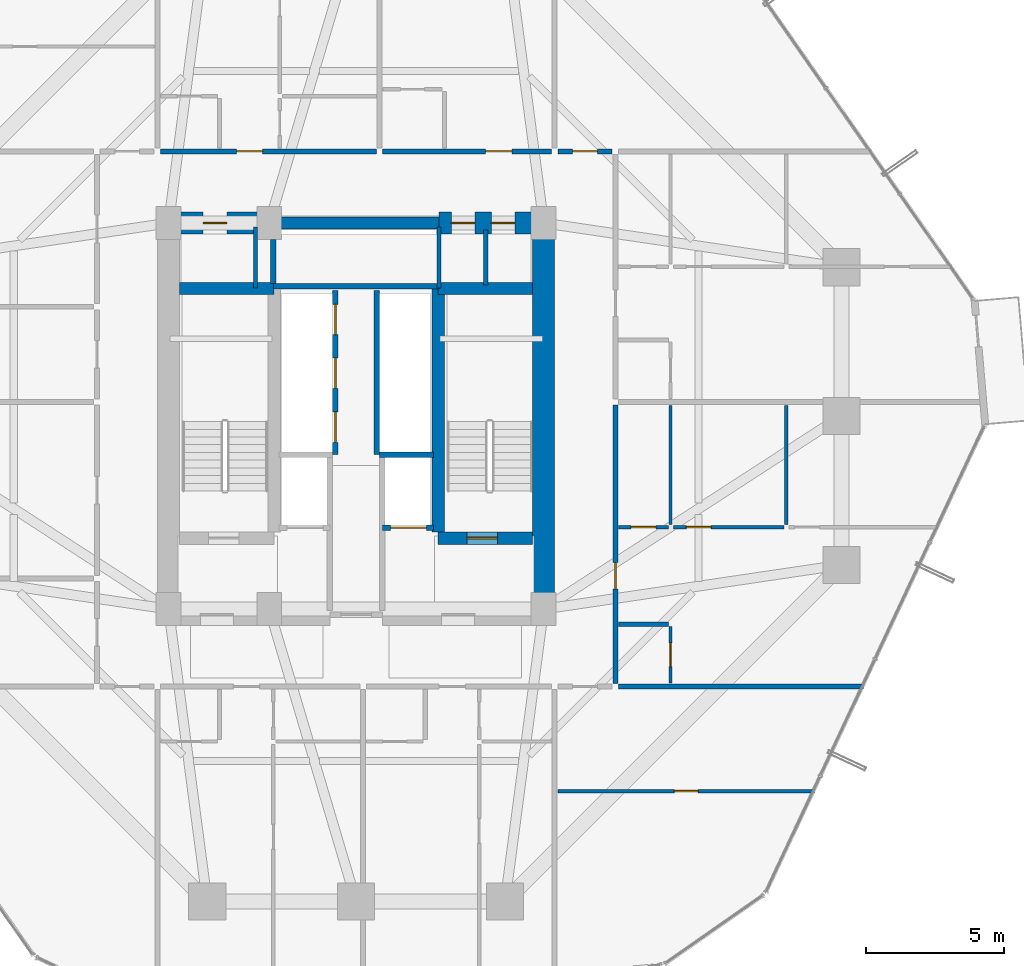
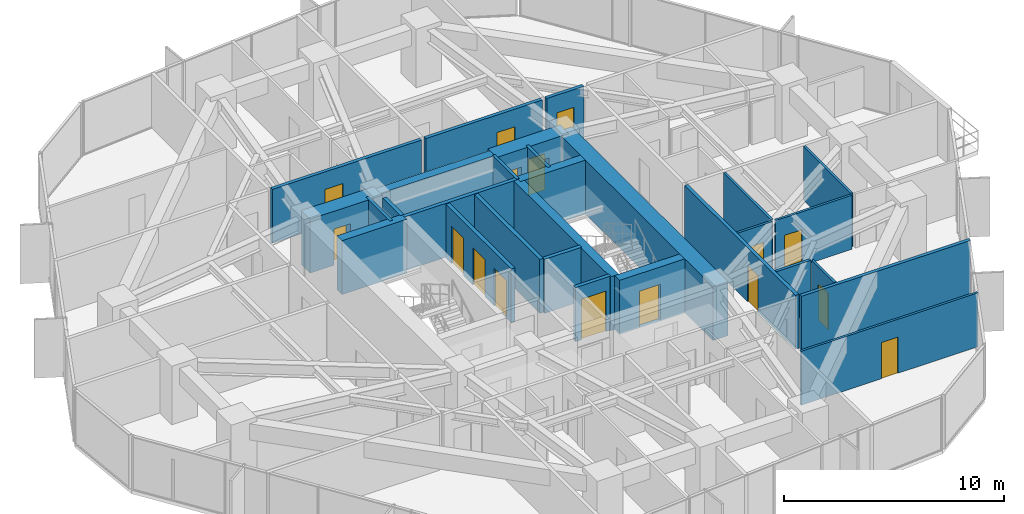
# One storey, part 34 of 37: 29 walls, 16 doors, 16 openings.
"""IFC4 building model written with IfcOpenShell, lengths in metres."""

import ifcopenshell
import ifcopenshell.guid

model = None  # the IFC model being written
_history = None  # IfcOwnerHistory: only IFC2X3 demands one
_inside = {}  # id of a spatial element -> (the spatial element, [elements in it])
_under = {}  # id of a project, library or spatial element -> (it, [spatial elements below it])
_declared = {}  # id of a project -> (the project, [libraries it declares])
_typed = {}  # id of a type object -> (the type object, [elements of that type])
_made_of = {}  # id of a material, layer set ... -> (it, [elements and type objects made of it])


def new_model(schema):
    """Start an empty IFC model of exactly this schema.

    Asked for "IFC4X3", IfcOpenShell would pick the latest addendum, in which some entities
    have other attributes; the version numbers below select the first issue.
    IFC2X3 requires an IfcOwnerHistory on every rooted entity: one is made here for all.
    """
    global model, _history
    if schema == "IFC4X3":
        model = ifcopenshell.file(schema_version=(4, 3, 0, 0))
    else:
        model = ifcopenshell.file(schema=schema)
    _inside.clear()
    _under.clear()
    _declared.clear()
    _typed.clear()
    _made_of.clear()
    _history = None
    if model.schema == "IFC2X3":
        org = make("IfcOrganization", Name="unknown")
        user = make(
            "IfcPersonAndOrganization",
            ThePerson=make("IfcPerson", FamilyName="unknown"),
            TheOrganization=org,
        )
        app = make(
            "IfcApplication",
            ApplicationDeveloper=org,
            Version="unknown",
            ApplicationFullName="unknown",
            ApplicationIdentifier="unknown",
        )
        _history = make(
            "IfcOwnerHistory",
            OwningUser=user,
            OwningApplication=app,
            ChangeAction="ADDED",
            CreationDate=0,
        )
    return model


def make(cls, **values):
    """One entity of the class cls with the attributes given. An attribute that is None is left unset."""
    return model.create_entity(
        cls, **{name: value for name, value in values.items() if value is not None}
    )


def rooted(cls, **values):
    """An entity with a GlobalId (a new one), such as an element, a storey or a relation."""
    return make(cls, GlobalId=ifcopenshell.guid.new(), OwnerHistory=_history, **values)


def si_unit(unit_type, name, prefix=None):
    """IfcSIUnit, for example si_unit("LENGTHUNIT", "METRE", prefix="MILLI")."""
    return make("IfcSIUnit", UnitType=unit_type, Prefix=prefix, Name=name)


def assignment(units):
    """IfcUnitAssignment: the units of a project."""
    return None if units is None else make("IfcUnitAssignment", Units=units)


def point(xyz):
    """IfcCartesianPoint."""
    return None if xyz is None else make("IfcCartesianPoint", Coordinates=xyz)


def direction(xyz):
    """IfcDirection."""
    return None if xyz is None else make("IfcDirection", DirectionRatios=xyz)


def frame(location, z_axis=None, x_axis=None):
    """IfcAxis2Placement3D, a coordinate frame: its origin and axes. An axis left out is left unset."""
    return make(
        "IfcAxis2Placement3D",
        Location=point(location),
        Axis=direction(z_axis),
        RefDirection=direction(x_axis),
    )


def frame_2d(location, x_axis=None):
    """IfcAxis2Placement2D, a coordinate frame in the plane: its origin and x axis."""
    return make(
        "IfcAxis2Placement2D", Location=point(location), RefDirection=direction(x_axis)
    )


def origin():
    """The frame at (0, 0, 0) with its axes left unset."""
    return frame((0.0, 0.0, 0.0))


def place(relative_to, where):
    """IfcLocalPlacement: puts the frame where relative to a parent placement (None: the world)."""
    return make(
        "IfcLocalPlacement", PlacementRelTo=relative_to, RelativePlacement=where
    )


def context(
    kind, dimensions, precision=None, world=None, true_north=None, identifier=None
):
    """IfcGeometricRepresentationContext, for example the 3D "Model" context."""
    return make(
        "IfcGeometricRepresentationContext",
        ContextIdentifier=identifier,
        ContextType=kind,
        CoordinateSpaceDimension=dimensions,
        Precision=precision,
        WorldCoordinateSystem=world,
        TrueNorth=true_north,
    )


def subcontext(parent, identifier, kind, view, scale=None):
    """IfcGeometricRepresentationSubContext, for example "Body" below "Model"."""
    return make(
        "IfcGeometricRepresentationSubContext",
        ContextIdentifier=identifier,
        ContextType=kind,
        ParentContext=parent,
        TargetScale=scale,
        TargetView=view,
    )


def project(units=None, contexts=None):
    """IfcProject with its units and contexts."""
    return rooted(
        "IfcProject",
        Name="project",
        RepresentationContexts=contexts,
        UnitsInContext=assignment(units),
    )


def spatial(cls, under=None, at=None, **own):
    """A site, building, storey or space (cls), placed at a placement, below another one or the project."""
    s = rooted(cls, ObjectPlacement=at, **own)
    if under is not None:
        _under.setdefault(under.id(), (under, []))[1].append(s)
    return s


def profile(cls, at=None, kind="AREA", **sizes):
    """A parametric profile (cls). Its sizes go by their IFC names, for example OverallWidth=200.0."""
    return make(cls, ProfileType=kind, Position=at, **sizes)


def rectangle(**sizes):
    """IfcRectangleProfileDef."""
    return profile("IfcRectangleProfileDef", **sizes)


def extrude(swept, where, along, depth):
    """IfcExtrudedAreaSolid: the profile swept, set in the frame where, extruded along a direction by depth."""
    return make(
        "IfcExtrudedAreaSolid",
        SweptArea=swept,
        Position=where,
        ExtrudedDirection=direction(along),
        Depth=depth,
    )


def shape(context_of_items, identifier, shape_type, items):
    """IfcShapeRepresentation: the items that make up one representation, for example the "Body"."""
    return make(
        "IfcShapeRepresentation",
        ContextOfItems=context_of_items,
        RepresentationIdentifier=identifier,
        RepresentationType=shape_type,
        Items=items,
    )


def source(mapping_origin, context_of_items, identifier, shape_type, items):
    """IfcRepresentationMap: a shape defined once, which mapped items show again and again."""
    return make(
        "IfcRepresentationMap",
        MappingOrigin=mapping_origin,
        MappedRepresentation=shape(context_of_items, identifier, shape_type, items),
    )


def transform(
    local_origin,
    x_axis=None,
    y_axis=None,
    z_axis=None,
    scale=None,
    scale2=None,
    scale3=None,
    uniform=True,
):
    """IfcCartesianTransformationOperator3D, or its non-uniform kind. x_axis, y_axis, z_axis: its Axis1, 2, 3."""
    if uniform:
        return make(
            "IfcCartesianTransformationOperator3D",
            Axis1=direction(x_axis),
            Axis2=direction(y_axis),
            LocalOrigin=point(local_origin),
            Scale=scale,
            Axis3=direction(z_axis),
        )
    return make(
        "IfcCartesianTransformationOperator3DnonUniform",
        Axis1=direction(x_axis),
        Axis2=direction(y_axis),
        LocalOrigin=point(local_origin),
        Scale=scale,
        Axis3=direction(z_axis),
        Scale2=scale2,
        Scale3=scale3,
    )


def mapped(mapping_source, mapping_target):
    """IfcMappedItem: shows the shape of a source again, moved by a transform."""
    return make(
        "IfcMappedItem", MappingSource=mapping_source, MappingTarget=mapping_target
    )


def material(Name=None, Category=None):
    """IfcMaterial."""
    return make("IfcMaterial", Name=Name, Category=Category)


def layer(
    of_material, thickness, ventilated=None, Name=None, Category=None, Priority=None
):
    """IfcMaterialLayer: one layer of a wall or slab, of a material (None: an air gap)."""
    return make(
        "IfcMaterialLayer",
        Material=of_material,
        LayerThickness=thickness,
        IsVentilated=ventilated,
        Name=Name,
        Category=Category,
        Priority=Priority,
    )


def layer_set(layers, Name=None):
    """IfcMaterialLayerSet."""
    return make("IfcMaterialLayerSet", MaterialLayers=layers, LayerSetName=Name)


def made_of(thing, what):
    """Note that an element or type object is made of a material, layer set ...; save() writes the relation."""
    if what is not None:
        _made_of.setdefault(what.id(), (what, []))[1].append(thing)
    return thing


def type_object(cls, material=None, **own):
    """A type object (cls), such as IfcWallType, which elements share."""
    return made_of(rooted(cls, **own), material)


def element(
    cls,
    number,
    at=None,
    inside=None,
    cuts=None,
    type_object=None,
    material=None,
    context=None,
    identifier="Body",
    shape_type=None,
    held_by="IfcProductDefinitionShape",
    body=None,
    shapes=None,
    **own,
):
    """One element of the class cls, such as IfcWall. Its Tag is "e" and its number.

    at: its placement. inside: the storey or other place that contains it. cuts: it is an
    opening in that element (IfcRelVoidsElement). A single representation is given by context,
    identifier, shape_type and body (its items); several are given by shapes. held_by: the class
    of the entity that holds the representations. save() writes the other relations.
    """
    e = rooted(cls, Tag="e%d" % number, ObjectPlacement=at, **own)
    if body is not None:
        shapes = [shape(context, identifier, shape_type, body)]
    if shapes is not None:
        e.Representation = make(held_by, Representations=shapes)
    if inside is not None:
        _inside.setdefault(inside.id(), (inside, []))[1].append(e)
    if cuts is not None:
        rooted(
            "IfcRelVoidsElement", RelatingBuildingElement=cuts, RelatedOpeningElement=e
        )
    if type_object is not None:
        _typed.setdefault(type_object.id(), (type_object, []))[1].append(e)
    return made_of(e, material)


def fill(opening, filler):
    """IfcRelFillsElement: the door or window that sits in an opening."""
    return rooted(
        "IfcRelFillsElement",
        RelatingOpeningElement=opening,
        RelatedBuildingElement=filler,
    )


def aggregate(whole, parts):
    """IfcRelAggregates: a whole, such as a stair, and the parts it consists of."""
    return rooted("IfcRelAggregates", RelatingObject=whole, RelatedObjects=parts)


def save(model, path):
    """Write the relations noted so far, then the file.

    IfcRelAggregates (storeys below a building ...), IfcRelContainedInSpatialStructure (elements
    in a storey), IfcRelDefinesByType, IfcRelAssociatesMaterial and IfcRelDeclares: one each for
    every whole, place, type object, material and project.
    """
    for whole, parts in _under.values():
        aggregate(whole, parts)
    for where, things in _inside.values():
        rooted(
            "IfcRelContainedInSpatialStructure",
            RelatedElements=things,
            RelatingStructure=where,
        )
    for kind, things in _typed.values():
        rooted("IfcRelDefinesByType", RelatedObjects=things, RelatingType=kind)
    for what, things in _made_of.values():
        rooted("IfcRelAssociatesMaterial", RelatedObjects=things, RelatingMaterial=what)
    for by, libraries in _declared.values():
        rooted("IfcRelDeclares", RelatingContext=by, RelatedDefinitions=libraries)
    model.write(path)


model = new_model("IFC4")

# Units and contexts
model_context = context("Model", 3, precision=1e-05, world=origin(), true_north=direction((0.0, 1.0)))
body_context = subcontext(model_context, "Body", "Model", "MODEL_VIEW")
ifc_project = project(units=[si_unit("LENGTHUNIT", "METRE"), si_unit("AREAUNIT", "SQUARE_METRE"), si_unit("VOLUMEUNIT", "CUBIC_METRE"), si_unit("PLANEANGLEUNIT", "RADIAN"), si_unit("MASSUNIT", "GRAM", prefix="KILO")], contexts=[model_context])

# Site, building, storey
site_placement = place(None, origin())
site = spatial("IfcSite", under=ifc_project, at=site_placement, CompositionType="ELEMENT")
building_placement = place(site_placement, origin())
building = spatial("IfcBuilding", under=site, at=building_placement, Name="Veraguas Prism Commons", CompositionType="ELEMENT")
storey_placement = place(building_placement, frame((0.0, 0.0, 40.300048828125)))
storey = spatial("IfcBuildingStorey", under=building, at=storey_placement, Name="L10", CompositionType="ELEMENT", Elevation=40.300048828125)

# Wall
ifc_material_1 = material(Name="Concrete C60/75", Category="concrete")
ifc_layer_1 = layer(ifc_material_1, 0.449951171875, Name="Core Internal Shear Wall Lower RC 450", Category="concrete")
ifc_layer_set_1 = layer_set([ifc_layer_1], Name="Concrete C60/75")
wall_type_1 = type_object("IfcWallType", Name="Core Internal Shear Wall Lower RC 450", PredefinedType="SHEAR", material=ifc_layer_set_1)
wall_1_placement = place(storey_placement, frame((21.0, 31.0, 0.0), z_axis=(0.0, 0.0, 1.0), x_axis=(1.0, 0.0, 0.0)))
element("IfcWall", 1, at=wall_1_placement, inside=storey, type_object=wall_type_1, Name="High-Rise Lift Bank Front Shear Wall L10", PredefinedType="SHEAR", context=body_context, shape_type="SweptSolid", body=[
    extrude(rectangle(XDim=6.0, YDim=0.449951171875, at=frame_2d((3.0, 0.0))), origin(), (0.0, 0.0, 1.0), 3.0),
])

# Wall, opening, door
wall_2_placement = place(storey_placement, frame((26.97509765625, 19.574951171875, 0.0), z_axis=(0.0, 0.0, 1.0), x_axis=(1.0, 0.0, 0.0)))
wall_2 = element("IfcWall", 2, at=wall_2_placement, inside=storey, type_object=wall_type_1, Name="Stair ST-02 South Shear Wall L10", PredefinedType="SHEAR", context=body_context, shape_type="SweptSolid", body=[
    extrude(rectangle(XDim=3.4248046875, YDim=0.449951171875, at=frame_2d((1.71240234375, 0.0))), origin(), (0.0, 0.0, 1.0), 3.0),
])
opening_1_placement = place(wall_2_placement, frame((1.050048828125, 0.0, 0.0)))
opening_1 = element("IfcOpeningElement", 3, at=opening_1_placement, cuts=wall_2, Name="Opening DR-05", PredefinedType="OPENING", context=body_context, shape_type="SweptSolid", body=[
    extrude(rectangle(XDim=1.10009765625, YDim=2.030029296875, at=frame_2d((0.550048828125, 1.01513671875))), frame((0.0, 0.23486328125, 0.0), z_axis=(0.0, -1.0, 0.0), x_axis=(1.0, 0.0, 0.0)), (0.0, 0.0, 1.0), 0.469970703125),
])
ifc_material_2 = material(Name="Steel fire-rated door assembly", Category="steel")
door_type_1 = type_object("IfcDoorType", Name="Protected Stair and Refuge Fire Door 1100x2030", OperationType="NOTDEFINED", PredefinedType="DOOR", material=ifc_material_2)
shared_shape_1 = source(origin(), body_context, "Body", "SweptSolid", [
    extrude(rectangle(XDim=1.10009765625, YDim=2.030029296875, at=frame_2d((0.550048828125, 1.01513671875))), frame((0.0, 0.02490234375, 0.0), z_axis=(0.0, -1.0, 0.0), x_axis=(1.0, 0.0, 0.0)), (0.0, 0.0, 1.0), 0.050048828125),
])
door_1_placement = place(opening_1_placement, origin())
door_1 = element("IfcDoor", 4, at=door_1_placement, inside=storey, type_object=door_type_1, Name="Stair ST-02 Enclosure Door L10", OperationType="SINGLE_SWING_RIGHT", OverallHeight=2.030029296875, OverallWidth=1.10009765625, PredefinedType="DOOR", context=body_context, shape_type="MappedRepresentation", body=[
    mapped(shared_shape_1, transform((0.0, 0.0, 0.0), scale=1.0)),
])
fill(opening_1, door_1)

# Walls
wall_3_placement = place(storey_placement, frame((26.97509765625, 19.800048828125, 0.0), z_axis=(0.0, 0.0, 1.0), x_axis=(0.0, 1.0, 0.0)))
element("IfcWall", 5, at=wall_3_placement, inside=storey, type_object=wall_type_1, Name="Stair ST-02 Inner Shear Wall L10", PredefinedType="SHEAR", context=body_context, shape_type="SweptSolid", body=[
    extrude(rectangle(XDim=8.824951171875, YDim=0.449951171875, at=frame_2d((4.41259765625, 0.0))), origin(), (0.0, 0.0, 1.0), 3.0),
])
for number, where, z_axis, x_axis, name in (
    (6, (17.60009765625, 28.625, 0.0), (0.0, 0.0, 1.0), (1.0, 0.0, 0.0), "Stair ST-01 North Shear Wall L10"),
    (7, (26.97509765625, 28.625, 0.0), (0.0, 0.0, 1.0), (1.0, 0.0, 0.0), "Stair ST-02 North Shear Wall L10"),
):
    element("IfcWall", number, at=place(storey_placement, frame(where, z_axis=z_axis, x_axis=x_axis)), inside=storey, type_object=wall_type_1, Name=name, PredefinedType="SHEAR", context=body_context, shape_type="SweptSolid", body=[
        extrude(rectangle(XDim=3.4248046875, YDim=0.449951171875, at=frame_2d((1.71240234375, 0.0))), origin(), (0.0, 0.0, 1.0), 3.0),
    ])
ifc_layer_2 = layer(ifc_material_1, 0.800048828125, Name="Core Outer Shear Wall Lower RC 800", Category="concrete")
ifc_layer_set_2 = layer_set([ifc_layer_2], Name="Concrete C60/75")
wall_type_2 = type_object("IfcWallType", Name="Core Outer Shear Wall Lower RC 800", PredefinedType="SHEAR", material=ifc_layer_set_2)
wall_4_placement = place(storey_placement, frame((30.800048828125, 16.800048828125, 0.0), z_axis=(0.0, 0.0, 1.0), x_axis=(0.0, 1.0, 0.0)))
element("IfcWall", 8, at=wall_4_placement, inside=storey, type_object=wall_type_2, Name="Central Core East Shear Wall L10", PredefinedType="SHEAR", context=body_context, shape_type="SweptSolid", body=[
    extrude(rectangle(XDim=14.199951171875, YDim=0.800048828125, at=frame_2d((7.10009765625, 0.0))), origin(), (0.0, 0.0, 1.0), 3.0),
])

# Wall, opening, door
wall_5_placement = place(storey_placement, frame((17.199951171875, 31.0, 0.0), z_axis=(0.0, 0.0, 1.0), x_axis=(1.0, 0.0, 0.0)))
wall_5 = element("IfcWall", 9, at=wall_5_placement, inside=storey, type_object=wall_type_2, Name="Central Core North-West Shear Wall L10", PredefinedType="SHEAR", context=body_context, shape_type="SweptSolid", body=[
    extrude(rectangle(XDim=3.800048828125, YDim=0.800048828125, at=frame_2d((1.89990234375, 0.0))), origin(), (0.0, 0.0, 1.0), 3.0),
])
opening_2_placement = place(wall_5_placement, frame((1.25, 0.0, 0.0)))
opening_2 = element("IfcOpeningElement", 10, at=opening_2_placement, cuts=wall_5, Name="Opening DR-12", PredefinedType="OPENING", context=body_context, shape_type="SweptSolid", body=[
    extrude(rectangle(XDim=0.860107421875, YDim=2.010009765625, at=frame_2d((0.43017578125, 1.0048828125))), frame((0.0, 0.409912109375, 0.0), z_axis=(0.0, -1.0, 0.0), x_axis=(1.0, 0.0, 0.0)), (0.0, 0.0, 1.0), 0.820068359375),
])
door_type_2 = type_object("IfcDoorType", Name="Core WC Fire Door 860x2010", OperationType="NOTDEFINED", PredefinedType="DOOR", material=ifc_material_2)
shared_shape_2 = source(origin(), body_context, "Body", "SweptSolid", [
    extrude(rectangle(XDim=0.860107421875, YDim=2.010009765625, at=frame_2d((0.43017578125, 1.0048828125))), frame((0.0, 0.02490234375, 0.0), z_axis=(0.0, -1.0, 0.0), x_axis=(1.0, 0.0, 0.0)), (0.0, 0.0, 1.0), 0.050048828125),
])
door_2_placement = place(opening_2_placement, origin())
door_2 = element("IfcDoor", 11, at=door_2_placement, inside=storey, type_object=door_type_2, Name="Core NW Service Door L10", OperationType="SINGLE_SWING_RIGHT", OverallHeight=2.010009765625, OverallWidth=0.860107421875, PredefinedType="DOOR", context=body_context, shape_type="MappedRepresentation", body=[
    mapped(shared_shape_2, transform((0.0, 0.0, 0.0), scale=1.0)),
])
fill(opening_2, door_2)

# Wall, openings, doors
wall_6_placement = place(storey_placement, frame((27.0, 31.0, 0.0), z_axis=(0.0, 0.0, 1.0), x_axis=(1.0, 0.0, 0.0)))
wall_6 = element("IfcWall", 12, at=wall_6_placement, inside=storey, type_object=wall_type_2, Name="Central Core North-East Shear Wall L10", PredefinedType="SHEAR", context=body_context, shape_type="SweptSolid", body=[
    extrude(rectangle(XDim=3.800048828125, YDim=0.800048828125, at=frame_2d((1.89990234375, 0.0))), origin(), (0.0, 0.0, 1.0), 3.0),
])
opening_3_placement = place(wall_6_placement, frame((0.449951171875, 0.0, 0.0)))
opening_3 = element("IfcOpeningElement", 13, at=opening_3_placement, cuts=wall_6, Name="Opening DR-12", PredefinedType="OPENING", context=body_context, shape_type="SweptSolid", body=[
    extrude(rectangle(XDim=0.860107421875, YDim=2.010009765625, at=frame_2d((0.43017578125, 1.0048828125))), frame((0.0, 0.409912109375, 0.0), z_axis=(0.0, -1.0, 0.0), x_axis=(1.0, 0.0, 0.0)), (0.0, 0.0, 1.0), 0.820068359375),
])
opening_4_placement = place(wall_6_placement, frame((1.89990234375, 0.0, 0.0)))
opening_4 = element("IfcOpeningElement", 14, at=opening_4_placement, cuts=wall_6, Name="Opening DR-12", PredefinedType="OPENING", context=body_context, shape_type="SweptSolid", body=[
    extrude(rectangle(XDim=0.860107421875, YDim=2.010009765625, at=frame_2d((0.43017578125, 1.0048828125))), frame((0.0, 0.409912109375, 0.0), z_axis=(0.0, -1.0, 0.0), x_axis=(1.0, 0.0, 0.0)), (0.0, 0.0, 1.0), 0.820068359375),
])
door_3_placement = place(opening_3_placement, origin())
door_3 = element("IfcDoor", 15, at=door_3_placement, inside=storey, type_object=door_type_2, Name="Core NE Room A Door L10", OperationType="SINGLE_SWING_LEFT", OverallHeight=2.010009765625, OverallWidth=0.860107421875, PredefinedType="DOOR", context=body_context, shape_type="MappedRepresentation", body=[
    mapped(shared_shape_2, transform((0.0, 0.0, 0.0), scale=1.0)),
])
fill(opening_3, door_3)
door_4_placement = place(opening_4_placement, origin())
door_4 = element("IfcDoor", 16, at=door_4_placement, inside=storey, type_object=door_type_2, Name="Core NE Room B Door L10", OperationType="SINGLE_SWING_RIGHT", OverallHeight=2.010009765625, OverallWidth=0.860107421875, PredefinedType="DOOR", context=body_context, shape_type="MappedRepresentation", body=[
    mapped(shared_shape_2, transform((0.0, 0.0, 0.0), scale=1.0)),
])
fill(opening_4, door_4)

# Wall, opening, door
ifc_material_3 = material(Name="Autoclaved aerated masonry block 10 MPa", Category="masonry")
ifc_layer_3 = layer(ifc_material_3, 0.179931640625, Name="Corridor and Inter-Tenancy Partition 180", Category="masonry")
ifc_layer_set_3 = layer_set([ifc_layer_3], Name="Autoclaved aerated masonry block 10 MPa")
wall_type_3 = type_object("IfcWallType", Name="Corridor and Inter-Tenancy Partition 180", PredefinedType="PARTITIONING", material=ifc_layer_set_3)
wall_7_placement = place(storey_placement, frame((16.909912109375, 33.60009765625, 0.0), z_axis=(0.0, 0.0, 1.0), x_axis=(1.0, 0.0, 0.0)))
wall_7 = element("IfcWall", 17, at=wall_7_placement, inside=storey, type_object=wall_type_3, Name="WL-L10-PT018", PredefinedType="PARTITIONING", context=body_context, shape_type="SweptSolid", body=[
    extrude(rectangle(XDim=7.83203125, YDim=0.179931640625, at=frame_2d((3.916015625, 0.0))), origin(), (0.0, 0.0, 1.0), 3.0),
])
opening_5_placement = place(wall_7_placement, frame((2.75439453125, 0.0, 0.0)))
opening_5 = element("IfcOpeningElement", 18, at=opening_5_placement, cuts=wall_7, Name="Opening DR-01", PredefinedType="OPENING", context=body_context, shape_type="SweptSolid", body=[
    extrude(rectangle(XDim=0.949951171875, YDim=2.02001953125, at=frame_2d((0.47509765625, 1.010009765625))), frame((0.0, 0.099853515625, 0.0), z_axis=(0.0, -1.0, 0.0), x_axis=(1.0, 0.0, 0.0)), (0.0, 0.0, 1.0), 0.199951171875),
])
ifc_material_4 = material(Name="Anodised aluminium EN AW-6063 T6", Category="aluminium")
door_type_3 = type_object("IfcDoorType", Name="Apartment Entrance Fire Door 950x2020", OperationType="NOTDEFINED", PredefinedType="DOOR", material=ifc_material_4)
shared_shape_3 = source(origin(), body_context, "Body", "SweptSolid", [
    extrude(rectangle(XDim=0.949951171875, YDim=2.02001953125, at=frame_2d((0.47509765625, 1.010009765625))), frame((0.0, 0.02490234375, 0.0), z_axis=(0.0, -1.0, 0.0), x_axis=(1.0, 0.0, 0.0)), (0.0, 0.0, 1.0), 0.050048828125),
])
door_5_placement = place(opening_5_placement, origin())
door_5 = element("IfcDoor", 19, at=door_5_placement, inside=storey, type_object=door_type_3, Name="Flat 10C Entrance Door", OperationType="SINGLE_SWING_LEFT", OverallHeight=2.02001953125, OverallWidth=0.949951171875, PredefinedType="DOOR", context=body_context, shape_type="MappedRepresentation", body=[
    mapped(shared_shape_3, transform((0.0, 0.0, 0.0), scale=1.0)),
])
fill(opening_5, door_5)

wall_8_placement = place(storey_placement, frame((24.9619140625, 33.60009765625, 0.0), z_axis=(0.0, 0.0, 1.0), x_axis=(1.0, 0.0, 0.0)))
wall_8 = element("IfcWall", 20, at=wall_8_placement, inside=storey, type_object=wall_type_3, Name="WL-L10-PT025", PredefinedType="PARTITIONING", context=body_context, shape_type="SweptSolid", body=[
    extrude(rectangle(XDim=6.128173828125, YDim=0.179931640625, at=frame_2d((3.06396484375, 0.0))), origin(), (0.0, 0.0, 1.0), 3.0),
])
opening_6_placement = place(wall_8_placement, frame((3.735595703125, 0.0, 0.0)))
opening_6 = element("IfcOpeningElement", 21, at=opening_6_placement, cuts=wall_8, Name="Opening DR-01", PredefinedType="OPENING", context=body_context, shape_type="SweptSolid", body=[
    extrude(rectangle(XDim=0.949951171875, YDim=2.02001953125, at=frame_2d((0.47509765625, 1.010009765625))), frame((0.0, 0.099853515625, 0.0), z_axis=(0.0, -1.0, 0.0), x_axis=(1.0, 0.0, 0.0)), (0.0, 0.0, 1.0), 0.199951171875),
])
door_6_placement = place(opening_6_placement, origin())
door_6 = element("IfcDoor", 22, at=door_6_placement, inside=storey, type_object=door_type_3, Name="Studio 10D Entrance Door", OperationType="SINGLE_SWING_LEFT", OverallHeight=2.02001953125, OverallWidth=0.949951171875, PredefinedType="DOOR", context=body_context, shape_type="MappedRepresentation", body=[
    mapped(shared_shape_3, transform((0.0, 0.0, 0.0), scale=1.0)),
])
fill(opening_6, door_6)

# Wall
wall_9_placement = place(storey_placement, frame((33.52001953125, 14.199951171875, 0.0), z_axis=(0.0, 0.0, 1.0), x_axis=(1.0, 0.0, 0.0)))
element("IfcWall", 23, at=wall_9_placement, inside=storey, type_object=wall_type_3, Name="WL-L10-PT037", PredefinedType="PARTITIONING", context=body_context, shape_type="SweptSolid", body=[
    extrude(rectangle(XDim=8.87451171875, YDim=0.179931640625, at=frame_2d((4.437255859375, 0.0))), origin(), (0.0, 0.0, 1.0), 3.0),
])

# Wall, opening, door
wall_10_placement = place(storey_placement, frame((33.39990234375, 14.31005859375, 0.0), z_axis=(0.0, 0.0, 1.0), x_axis=(0.0, 1.0, 0.0)))
wall_10 = element("IfcWall", 24, at=wall_10_placement, inside=storey, type_object=wall_type_3, Name="WL-L10-PT039", PredefinedType="PARTITIONING", context=body_context, shape_type="SweptSolid", body=[
    extrude(rectangle(XDim=10.087890625, YDim=0.179931640625, at=frame_2d((5.0439453125, 0.0))), origin(), (0.0, 0.0, 1.0), 3.0),
])
opening_7_placement = place(wall_10_placement, frame((3.426025390625, 0.0, 0.0)))
opening_7 = element("IfcOpeningElement", 25, at=opening_7_placement, cuts=wall_10, Name="Opening DR-01", PredefinedType="OPENING", context=body_context, shape_type="SweptSolid", body=[
    extrude(rectangle(XDim=0.949951171875, YDim=2.02001953125, at=frame_2d((0.47509765625, 1.010009765625))), frame((0.0, 0.099853515625, 0.0), z_axis=(0.0, -1.0, 0.0), x_axis=(1.0, 0.0, 0.0)), (0.0, 0.0, 1.0), 0.199951171875),
])
door_7_placement = place(opening_7_placement, origin())
door_7 = element("IfcDoor", 26, at=door_7_placement, inside=storey, type_object=door_type_3, Name="Flat 10E Entrance Door", OperationType="SINGLE_SWING_LEFT", OverallHeight=2.02001953125, OverallWidth=0.949951171875, PredefinedType="DOOR", context=body_context, shape_type="MappedRepresentation", body=[
    mapped(shared_shape_3, transform((0.0, 0.0, 0.0), scale=1.0)),
])
fill(opening_7, door_7)

wall_11_placement = place(storey_placement, frame((31.320068359375, 33.60009765625, 0.0), z_axis=(0.0, 0.0, 1.0), x_axis=(1.0, 0.0, 0.0)))
wall_11 = element("IfcWall", 27, at=wall_11_placement, inside=storey, type_object=wall_type_3, Name="WL-L10-PT061", PredefinedType="PARTITIONING", context=body_context, shape_type="SweptSolid", body=[
    extrude(rectangle(XDim=1.9599609375, YDim=0.179931640625, at=frame_2d((0.97998046875, 0.0))), origin(), (0.0, 0.0, 1.0), 3.0),
])
opening_8_placement = place(wall_11_placement, frame((0.530029296875, 0.0, 0.0)))
opening_8 = element("IfcOpeningElement", 28, at=opening_8_placement, cuts=wall_11, Name="Opening DR-14", PredefinedType="OPENING", context=body_context, shape_type="SweptSolid", body=[
    extrude(rectangle(XDim=0.89990234375, YDim=2.010009765625, at=frame_2d((0.449951171875, 1.0048828125))), frame((0.0, 0.099853515625, 0.0), z_axis=(0.0, -1.0, 0.0), x_axis=(1.0, 0.0, 0.0)), (0.0, 0.0, 1.0), 0.199951171875),
])
door_type_4 = type_object("IfcDoorType", Name="Core Service Room Fire Door 900x2010", OperationType="NOTDEFINED", PredefinedType="DOOR", material=ifc_material_2)
shared_shape_4 = source(origin(), body_context, "Body", "SweptSolid", [
    extrude(rectangle(XDim=0.89990234375, YDim=2.010009765625, at=frame_2d((0.449951171875, 1.0048828125))), frame((0.0, 0.02490234375, 0.0), z_axis=(0.0, -1.0, 0.0), x_axis=(1.0, 0.0, 0.0)), (0.0, 0.0, 1.0), 0.050048828125),
])
door_8_placement = place(opening_8_placement, origin())
door_8 = element("IfcDoor", 29, at=door_8_placement, inside=storey, type_object=door_type_4, Name="Residents Cycle and Pram Store NE Door", OperationType="SINGLE_SWING_RIGHT", OverallHeight=2.010009765625, OverallWidth=0.89990234375, PredefinedType="DOOR", context=body_context, shape_type="MappedRepresentation", body=[
    mapped(shared_shape_4, transform((0.0, 0.0, 0.0), scale=1.0)),
])
fill(opening_8, door_8)

ifc_material_5 = material(Name="Lightweight acoustic gypsum board")
ifc_layer_4 = layer(ifc_material_5, 0.125, Name="Internal Apartment Room Partition 125")
ifc_layer_set_4 = layer_set([ifc_layer_4], Name="Lightweight acoustic gypsum board")
wall_type_4 = type_object("IfcWallType", Name="Internal Apartment Room Partition 125", PredefinedType="PARTITIONING", material=ifc_layer_set_4)
wall_12_placement = place(storey_placement, frame((35.39990234375, 14.320068359375, 0.0), z_axis=(0.0, 0.0, 1.0), x_axis=(0.0, 1.0, 0.0)))
wall_12 = element("IfcWall", 30, at=wall_12_placement, inside=storey, type_object=wall_type_4, Name="WL-L10-PT041", PredefinedType="PARTITIONING", context=body_context, shape_type="SweptSolid", body=[
    extrude(rectangle(XDim=2.050048828125, YDim=0.125, at=frame_2d((1.02490234375, 0.0))), origin(), (0.0, 0.0, 1.0), 3.0),
])
opening_9_placement = place(wall_12_placement, frame((0.594970703125, 0.0, 0.0)))
opening_9 = element("IfcOpeningElement", 31, at=opening_9_placement, cuts=wall_12, Name="Opening DR-03", PredefinedType="OPENING", context=body_context, shape_type="SweptSolid", body=[
    extrude(rectangle(XDim=0.860107421875, YDim=2.010009765625, at=frame_2d((0.43017578125, 1.0048828125))), frame((0.0, 0.072509765625, 0.0), z_axis=(0.0, -1.0, 0.0), x_axis=(1.0, 0.0, 0.0)), (0.0, 0.0, 1.0), 0.14501953125),
])
ifc_material_6 = material(Name="Timber moisture-resistant leaf", Category="wood")
door_type_5 = type_object("IfcDoorType", Name="Internal Bathroom Door 860x2010", OperationType="NOTDEFINED", PredefinedType="DOOR", material=ifc_material_6)
door_9_placement = place(opening_9_placement, origin())
door_9 = element("IfcDoor", 32, at=door_9_placement, inside=storey, type_object=door_type_5, Name="Flat 10E Bathroom Door", OperationType="SINGLE_SWING_RIGHT", OverallHeight=2.010009765625, OverallWidth=0.860107421875, PredefinedType="DOOR", context=body_context, shape_type="MappedRepresentation", body=[
    mapped(shared_shape_2, transform((0.0, 0.0, 0.0), scale=1.0)),
])
fill(opening_9, door_9)

wall_13_placement = place(storey_placement, frame((33.52001953125, 19.971923828125, 0.0), z_axis=(0.0, 0.0, 1.0), x_axis=(1.0, 0.0, 0.0)))
wall_13 = element("IfcWall", 33, at=wall_13_placement, inside=storey, type_object=wall_type_4, Name="WL-L10-PT042", PredefinedType="PARTITIONING", context=body_context, shape_type="SweptSolid", body=[
    extrude(rectangle(XDim=1.800048828125, YDim=0.125, at=frame_2d((0.89990234375, 0.0))), origin(), (0.0, 0.0, 1.0), 3.0),
])
opening_10_placement = place(wall_13_placement, frame((0.449951171875, 0.0, 0.0)))
opening_10 = element("IfcOpeningElement", 34, at=opening_10_placement, cuts=wall_13, Name="Opening DR-02", PredefinedType="OPENING", context=body_context, shape_type="SweptSolid", body=[
    extrude(rectangle(XDim=0.89990234375, YDim=2.010009765625, at=frame_2d((0.449951171875, 1.0048828125))), frame((0.0, 0.072509765625, 0.0), z_axis=(0.0, -1.0, 0.0), x_axis=(1.0, 0.0, 0.0)), (0.0, 0.0, 1.0), 0.14501953125),
])
ifc_material_7 = material(Name="Timber solid core hardwood", Category="wood")
door_type_6 = type_object("IfcDoorType", Name="Internal Habitable Room Door 900x2010", OperationType="NOTDEFINED", PredefinedType="DOOR", material=ifc_material_7)
door_10_placement = place(opening_10_placement, origin())
door_10 = element("IfcDoor", 35, at=door_10_placement, inside=storey, type_object=door_type_6, Name="Flat 10E Kitchen Door", OperationType="SINGLE_SWING_LEFT", OverallHeight=2.010009765625, OverallWidth=0.89990234375, PredefinedType="DOOR", context=body_context, shape_type="MappedRepresentation", body=[
    mapped(shared_shape_4, transform((0.0, 0.0, 0.0), scale=1.0)),
])
fill(opening_10, door_10)

# Walls
for number, where, z_axis, x_axis, name in (
    (36, (35.39990234375, 20.072021484375, 0.0), (0.0, 0.0, 1.0), (0.0, 1.0, 0.0), "WL-L10-PT043"),
    (37, (39.60009765625, 20.072021484375, 0.0), (0.0, 0.0, 1.0), (0.0, 1.0, 0.0), "WL-L10-PT044"),
):
    element("IfcWall", number, at=place(storey_placement, frame(where, z_axis=z_axis, x_axis=x_axis)), inside=storey, type_object=wall_type_4, Name=name, PredefinedType="PARTITIONING", context=body_context, shape_type="SweptSolid", body=[
        extrude(rectangle(XDim=4.31591796875, YDim=0.125, at=frame_2d((2.157958984375, 0.0))), origin(), (0.0, 0.0, 1.0), 3.0),
    ])

# Wall, opening, door
wall_14_placement = place(storey_placement, frame((35.5, 19.971923828125, 0.0), z_axis=(0.0, 0.0, 1.0), x_axis=(1.0, 0.0, 0.0)))
wall_14 = element("IfcWall", 38, at=wall_14_placement, inside=storey, type_object=wall_type_4, Name="WL-L10-PT045", PredefinedType="PARTITIONING", context=body_context, shape_type="SweptSolid", body=[
    extrude(rectangle(XDim=4.02001953125, YDim=0.125, at=frame_2d((2.010009765625, 0.0))), origin(), (0.0, 0.0, 1.0), 3.0),
])
opening_11_placement = place(wall_14_placement, frame((0.471923828125, 0.0, 0.0)))
opening_11 = element("IfcOpeningElement", 39, at=opening_11_placement, cuts=wall_14, Name="Opening DR-02", PredefinedType="OPENING", context=body_context, shape_type="SweptSolid", body=[
    extrude(rectangle(XDim=0.89990234375, YDim=2.010009765625, at=frame_2d((0.449951171875, 1.0048828125))), frame((0.0, 0.072509765625, 0.0), z_axis=(0.0, -1.0, 0.0), x_axis=(1.0, 0.0, 0.0)), (0.0, 0.0, 1.0), 0.14501953125),
])
door_11_placement = place(opening_11_placement, origin())
door_11 = element("IfcDoor", 40, at=door_11_placement, inside=storey, type_object=door_type_6, Name="Flat 10E Bedroom 1 Door", OperationType="SINGLE_SWING_RIGHT", OverallHeight=2.010009765625, OverallWidth=0.89990234375, PredefinedType="DOOR", context=body_context, shape_type="MappedRepresentation", body=[
    mapped(shared_shape_4, transform((0.0, 0.0, 0.0), scale=1.0)),
])
fill(opening_11, door_11)

wall_15_placement = place(storey_placement, frame((31.320068359375, 10.39990234375, 0.0), z_axis=(0.0, 0.0, 1.0), x_axis=(1.0, 0.0, 0.0)))
wall_15 = element("IfcWall", 41, at=wall_15_placement, inside=storey, type_object=wall_type_4, Name="WL-L10-PT058", PredefinedType="PARTITIONING", context=body_context, shape_type="SweptSolid", body=[
    extrude(rectangle(XDim=9.29443359375, YDim=0.125, at=frame_2d((4.647216796875, 0.0))), origin(), (0.0, 0.0, 1.0), 3.0),
])
opening_12_placement = place(wall_15_placement, frame((4.21728515625, 0.0, 0.0)))
opening_12 = element("IfcOpeningElement", 42, at=opening_12_placement, cuts=wall_15, Name="Opening DR-03", PredefinedType="OPENING", context=body_context, shape_type="SweptSolid", body=[
    extrude(rectangle(XDim=0.860107421875, YDim=2.010009765625, at=frame_2d((0.43017578125, 1.0048828125))), frame((0.0, 0.072509765625, 0.0), z_axis=(0.0, -1.0, 0.0), x_axis=(1.0, 0.0, 0.0)), (0.0, 0.0, 1.0), 0.14501953125),
])
door_12_placement = place(opening_12_placement, origin())
door_12 = element("IfcDoor", 43, at=door_12_placement, inside=storey, type_object=door_type_5, Name="Corner Store SE Door", OperationType="SINGLE_SWING_LEFT", OverallHeight=2.010009765625, OverallWidth=0.860107421875, PredefinedType="DOOR", context=body_context, shape_type="MappedRepresentation", body=[
    mapped(shared_shape_2, transform((0.0, 0.0, 0.0), scale=1.0)),
])
fill(opening_12, door_12)

ifc_layer_5 = layer(ifc_material_3, 0.199951171875, Name="Rated Shaft and Lobby Block Wall 200", Category="masonry")
ifc_layer_set_5 = layer_set([ifc_layer_5], Name="Autoclaved aerated masonry block 10 MPa")
wall_type_5 = type_object("IfcWallType", Name="Rated Shaft and Lobby Block Wall 200", PredefinedType="SOLIDWALL", material=ifc_layer_set_5)
wall_16_placement = place(storey_placement, frame((24.949951171875, 19.949951171875, 0.0), z_axis=(0.0, 0.0, 1.0), x_axis=(1.0, 0.0, 0.0)))
wall_16 = element("IfcWall", 44, at=wall_16_placement, inside=storey, type_object=wall_type_5, Name="Firefighting Lift FFL-2 Front Wall L10", PredefinedType="SOLIDWALL", context=body_context, shape_type="SweptSolid", body=[
    extrude(rectangle(XDim=1.85009765625, YDim=0.199951171875, at=frame_2d((0.925048828125, 0.0))), origin(), (0.0, 0.0, 1.0), 3.0),
])
opening_13_placement = place(wall_16_placement, frame((0.300048828125, 0.0, 0.0)))
opening_13 = element("IfcOpeningElement", 45, at=opening_13_placement, cuts=wall_16, Name="Opening LD-02", PredefinedType="OPENING", context=body_context, shape_type="SweptSolid", body=[
    extrude(rectangle(XDim=1.300048828125, YDim=2.25, at=frame_2d((0.64990234375, 1.125))), frame((0.0, 0.10986328125, 0.0), z_axis=(0.0, -1.0, 0.0), x_axis=(1.0, 0.0, 0.0)), (0.0, 0.0, 1.0), 0.219970703125),
])
ifc_material_8 = material(Name="Stainless steel AISI 316", Category="steel")
door_type_7 = type_object("IfcDoorType", Name="Firefighting Lift Sliding Landing Door 1300x2250", OperationType="NOTDEFINED", PredefinedType="DOOR", material=ifc_material_8)
shared_shape_5 = source(origin(), body_context, "Body", "SweptSolid", [
    extrude(rectangle(XDim=1.300048828125, YDim=2.25, at=frame_2d((0.64990234375, 1.125))), frame((0.0, 0.02490234375, 0.0), z_axis=(0.0, -1.0, 0.0), x_axis=(1.0, 0.0, 0.0)), (0.0, 0.0, 1.0), 0.050048828125),
])
door_13_placement = place(opening_13_placement, origin())
door_13 = element("IfcDoor", 46, at=door_13_placement, inside=storey, type_object=door_type_7, Name="Firefighting Lift FFL-2 Front Wall L10", OperationType="SLIDING_TO_LEFT", OverallHeight=2.25, OverallWidth=1.300048828125, PredefinedType="DOOR", context=body_context, shape_type="MappedRepresentation", body=[
    mapped(shared_shape_5, transform((0.0, 0.0, 0.0), scale=1.0)),
])
fill(opening_13, door_13)

# Walls
wall_17_placement = place(storey_placement, frame((24.85009765625, 22.60009765625, 0.0), z_axis=(0.0, 0.0, 1.0), x_axis=(1.0, 0.0, 0.0)))
element("IfcWall", 47, at=wall_17_placement, inside=storey, type_object=wall_type_5, Name="Firefighting Lift FFL-2 Rear Wall L10", PredefinedType="SOLIDWALL", context=body_context, shape_type="SweptSolid", body=[
    extrude(rectangle(XDim=1.949951171875, YDim=0.199951171875, at=frame_2d((0.97509765625, 0.0))), origin(), (0.0, 0.0, 1.0), 3.0),
])
wall_18_placement = place(storey_placement, frame((21.0, 28.699951171875, 0.0), z_axis=(0.0, 0.0, 1.0), x_axis=(1.0, 0.0, 0.0)))
element("IfcWall", 48, at=wall_18_placement, inside=storey, type_object=wall_type_5, Name="High-Rise Lift Bank Rear Shaft Wall L10", PredefinedType="SOLIDWALL", context=body_context, shape_type="SweptSolid", body=[
    extrude(rectangle(XDim=6.0, YDim=0.199951171875, at=frame_2d((3.0, 0.0))), origin(), (0.0, 0.0, 1.0), 3.0),
])
wall_19_placement = place(storey_placement, frame((21.0, 28.800048828125, 0.0), z_axis=(0.0, 0.0, 1.0), x_axis=(0.0, 1.0, 0.0)))
element("IfcWall", 49, at=wall_19_placement, inside=storey, type_object=wall_type_5, Name="High-Rise Lift Bank West Shaft Wall L10", PredefinedType="SOLIDWALL", context=body_context, shape_type="SweptSolid", body=[
    extrude(rectangle(XDim=1.599853515625, YDim=0.199951171875, at=frame_2d((0.7998046875, 0.0))), origin(), (0.0, 0.0, 1.0), 3.0),
])

# Wall, openings, doors
wall_20_placement = place(storey_placement, frame((23.25, 22.60009765625, 0.0), z_axis=(0.0, 0.0, 1.0), x_axis=(0.0, 1.0, 0.0)))
wall_20 = element("IfcWall", 50, at=wall_20_placement, inside=storey, type_object=wall_type_5, Name="Low-Rise Lift Bank Front Wall L10", PredefinedType="SOLIDWALL", context=body_context, shape_type="SweptSolid", body=[
    extrude(rectangle(XDim=5.949951171875, YDim=0.199951171875, at=frame_2d((2.97509765625, 0.0))), origin(), (0.0, 0.0, 1.0), 3.0),
])
opening_14_placement = place(wall_20_placement, frame((0.449951171875, 0.0, 0.0)))
opening_14 = element("IfcOpeningElement", 51, at=opening_14_placement, cuts=wall_20, Name="Opening LD-01", PredefinedType="OPENING", context=body_context, shape_type="SweptSolid", body=[
    extrude(rectangle(XDim=1.10009765625, YDim=2.080078125, at=frame_2d((0.550048828125, 1.0400390625))), frame((0.0, 0.10986328125, 0.0), z_axis=(0.0, -1.0, 0.0), x_axis=(1.0, 0.0, 0.0)), (0.0, 0.0, 1.0), 0.219970703125),
])
opening_15_placement = place(wall_20_placement, frame((2.39990234375, 0.0, 0.0)))
opening_15 = element("IfcOpeningElement", 52, at=opening_15_placement, cuts=wall_20, Name="Opening LD-01", PredefinedType="OPENING", context=body_context, shape_type="SweptSolid", body=[
    extrude(rectangle(XDim=1.10009765625, YDim=2.080078125, at=frame_2d((0.550048828125, 1.0400390625))), frame((0.0, 0.10986328125, 0.0), z_axis=(0.0, -1.0, 0.0), x_axis=(1.0, 0.0, 0.0)), (0.0, 0.0, 1.0), 0.219970703125),
])
opening_16_placement = place(wall_20_placement, frame((4.35009765625, 0.0, 0.0)))
opening_16 = element("IfcOpeningElement", 53, at=opening_16_placement, cuts=wall_20, Name="Opening LD-01", PredefinedType="OPENING", context=body_context, shape_type="SweptSolid", body=[
    extrude(rectangle(XDim=1.10009765625, YDim=2.080078125, at=frame_2d((0.550048828125, 1.0400390625))), frame((0.0, 0.10986328125, 0.0), z_axis=(0.0, -1.0, 0.0), x_axis=(1.0, 0.0, 0.0)), (0.0, 0.0, 1.0), 0.219970703125),
])
door_type_8 = type_object("IfcDoorType", Name="Passenger Lift Sliding Landing Door 1100x2080", OperationType="NOTDEFINED", PredefinedType="DOOR", material=ifc_material_8)
shared_shape_6 = source(origin(), body_context, "Body", "SweptSolid", [
    extrude(rectangle(XDim=1.10009765625, YDim=2.080078125, at=frame_2d((0.550048828125, 1.0400390625))), frame((0.0, 0.02490234375, 0.0), z_axis=(0.0, -1.0, 0.0), x_axis=(1.0, 0.0, 0.0)), (0.0, 0.0, 1.0), 0.050048828125),
])
door_14_placement = place(opening_14_placement, origin())
door_14 = element("IfcDoor", 54, at=door_14_placement, inside=storey, type_object=door_type_8, Name="Sliding Landing Door PL-L1 L10", OperationType="SLIDING_TO_LEFT", OverallHeight=2.080078125, OverallWidth=1.10009765625, PredefinedType="DOOR", context=body_context, shape_type="MappedRepresentation", body=[
    mapped(shared_shape_6, transform((0.0, 0.0, 0.0), scale=1.0)),
])
fill(opening_14, door_14)
door_15_placement = place(opening_15_placement, origin())
door_15 = element("IfcDoor", 55, at=door_15_placement, inside=storey, type_object=door_type_8, Name="Sliding Landing Door PL-L2 L10", OperationType="SLIDING_TO_LEFT", OverallHeight=2.080078125, OverallWidth=1.10009765625, PredefinedType="DOOR", context=body_context, shape_type="MappedRepresentation", body=[
    mapped(shared_shape_6, transform((0.0, 0.0, 0.0), scale=1.0)),
])
fill(opening_15, door_15)
door_16_placement = place(opening_16_placement, origin())
door_16 = element("IfcDoor", 56, at=door_16_placement, inside=storey, type_object=door_type_8, Name="Sliding Landing Door PL-L3 L10", OperationType="SLIDING_TO_LEFT", OverallHeight=2.080078125, OverallWidth=1.10009765625, PredefinedType="DOOR", context=body_context, shape_type="MappedRepresentation", body=[
    mapped(shared_shape_6, transform((0.0, 0.0, 0.0), scale=1.0)),
])
fill(opening_16, door_16)

# Walls
wall_21_placement = place(storey_placement, frame((24.75, 22.60009765625, 0.0), z_axis=(0.0, 0.0, 1.0), x_axis=(0.0, 1.0, 0.0)))
element("IfcWall", 57, at=wall_21_placement, inside=storey, type_object=wall_type_5, Name="Mid-Rise Lift Bank Front Wall L10", PredefinedType="SOLIDWALL", context=body_context, shape_type="SweptSolid", body=[
    extrude(rectangle(XDim=5.949951171875, YDim=0.199951171875, at=frame_2d((2.97509765625, 0.0))), origin(), (0.0, 0.0, 1.0), 3.0),
])
ifc_layer_6 = layer(ifc_material_5, 0.14990234375, Name="Wet Room and Clinic Acoustic Partition 150")
ifc_layer_set_6 = layer_set([ifc_layer_6], Name="Lightweight acoustic gypsum board")
wall_type_6 = type_object("IfcWallType", Name="Wet Room and Clinic Acoustic Partition 150", PredefinedType="PARTITIONING", material=ifc_layer_set_6)
for number, where, z_axis, x_axis, name in (
    (58, (20.35009765625, 28.64990234375, 0.0), (0.0, 0.0, 1.0), (0.0, 1.0, 0.0), "Core NW Service Inner Wall L10"),
    (59, (27.0, 28.64990234375, 0.0), (0.0, 0.0, 1.0), (0.0, 1.0, 0.0), "Core NE Service Inner Wall L10"),
):
    element("IfcWall", number, at=place(storey_placement, frame(where, z_axis=z_axis, x_axis=x_axis)), inside=storey, type_object=wall_type_6, Name=name, PredefinedType="PARTITIONING", context=body_context, shape_type="SweptSolid", body=[
        extrude(rectangle(XDim=2.2001953125, YDim=0.14990234375, at=frame_2d((1.10009765625, 0.0))), origin(), (0.0, 0.0, 1.0), 3.0),
    ])
wall_22_placement = place(storey_placement, frame((28.699951171875, 28.75, 0.0), z_axis=(0.0, 0.0, 1.0), x_axis=(0.0, 1.0, 0.0)))
element("IfcWall", 60, at=wall_22_placement, inside=storey, type_object=wall_type_6, Name="WL-L10-CSVD1", PredefinedType="PARTITIONING", context=body_context, shape_type="SweptSolid", body=[
    extrude(rectangle(XDim=2.0, YDim=0.14990234375, at=frame_2d((1.0, 0.0))), origin(), (0.0, 0.0, 1.0), 3.0),
])
wall_23_placement = place(storey_placement, frame((33.52001953125, 16.449951171875, 0.0), z_axis=(0.0, 0.0, 1.0), x_axis=(1.0, 0.0, 0.0)))
element("IfcWall", 61, at=wall_23_placement, inside=storey, type_object=wall_type_6, Name="WL-L10-PT040", PredefinedType="PARTITIONING", context=body_context, shape_type="SweptSolid", body=[
    extrude(rectangle(XDim=1.800048828125, YDim=0.14990234375, at=frame_2d((0.89990234375, 0.0))), origin(), (0.0, 0.0, 1.0), 3.0),
])

save(model, "model.ifc")
